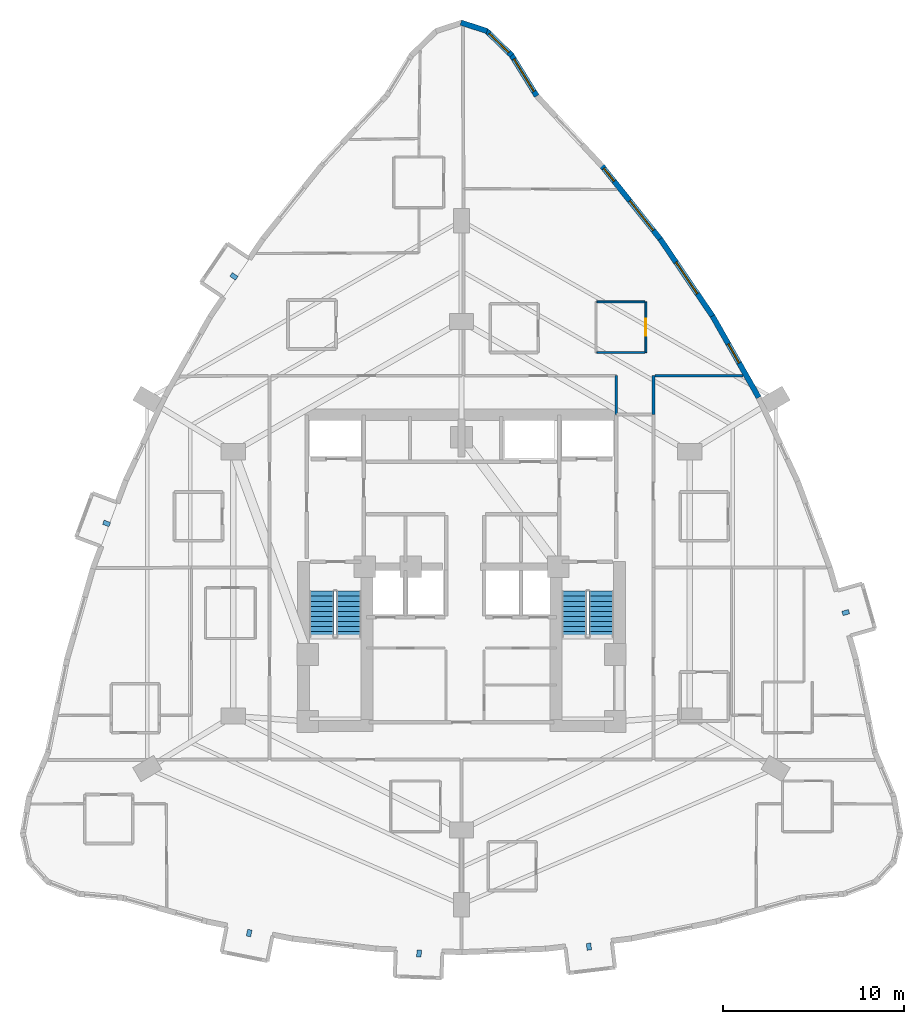
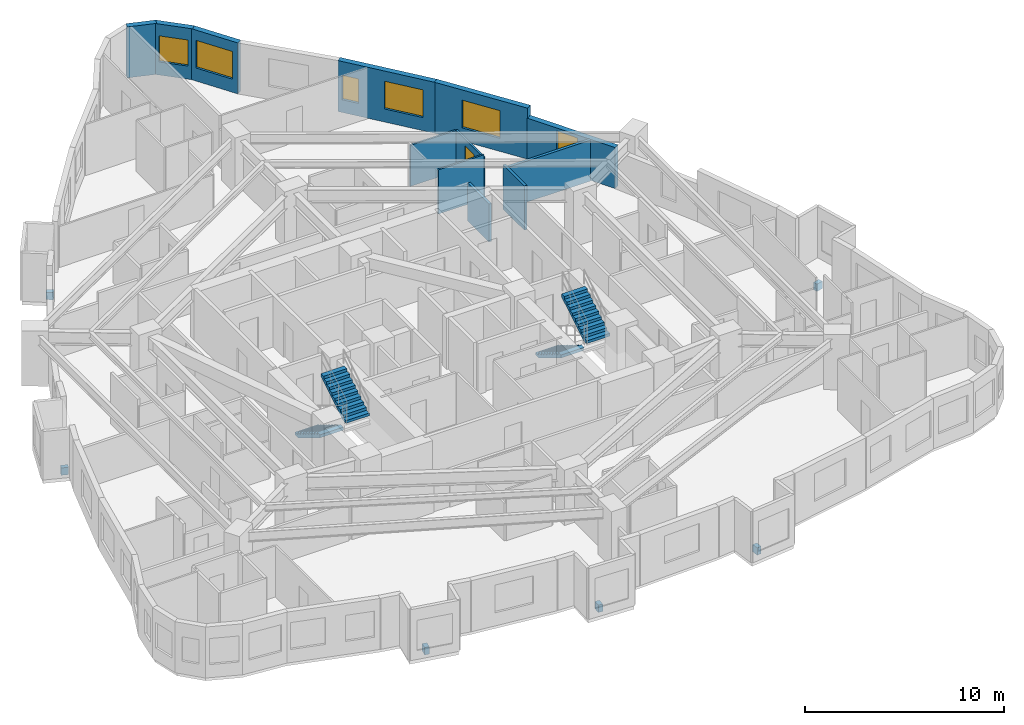
# One storey, part 12 of 13: 12 walls, 6 discrete accessories, 6 windows, 4 stair flights, 1 door, 7 openings, 2 elements without a shape of their own.
"""IFC4 building model written with IfcOpenShell, lengths in metres."""

import ifcopenshell
import ifcopenshell.guid

model = None  # the IFC model being written
_history = None  # IfcOwnerHistory: only IFC2X3 demands one
_inside = {}  # id of a spatial element -> (the spatial element, [elements in it])
_under = {}  # id of a project, library or spatial element -> (it, [spatial elements below it])
_declared = {}  # id of a project -> (the project, [libraries it declares])
_typed = {}  # id of a type object -> (the type object, [elements of that type])
_made_of = {}  # id of a material, layer set ... -> (it, [elements and type objects made of it])


def new_model(schema):
    """Start an empty IFC model of exactly this schema.

    Asked for "IFC4X3", IfcOpenShell would pick the latest addendum, in which some entities
    have other attributes; the version numbers below select the first issue.
    IFC2X3 requires an IfcOwnerHistory on every rooted entity: one is made here for all.
    """
    global model, _history
    if schema == "IFC4X3":
        model = ifcopenshell.file(schema_version=(4, 3, 0, 0))
    else:
        model = ifcopenshell.file(schema=schema)
    _inside.clear()
    _under.clear()
    _declared.clear()
    _typed.clear()
    _made_of.clear()
    _history = None
    if model.schema == "IFC2X3":
        org = make("IfcOrganization", Name="unknown")
        user = make(
            "IfcPersonAndOrganization",
            ThePerson=make("IfcPerson", FamilyName="unknown"),
            TheOrganization=org,
        )
        app = make(
            "IfcApplication",
            ApplicationDeveloper=org,
            Version="unknown",
            ApplicationFullName="unknown",
            ApplicationIdentifier="unknown",
        )
        _history = make(
            "IfcOwnerHistory",
            OwningUser=user,
            OwningApplication=app,
            ChangeAction="ADDED",
            CreationDate=0,
        )
    return model


def make(cls, **values):
    """One entity of the class cls with the attributes given. An attribute that is None is left unset."""
    return model.create_entity(
        cls, **{name: value for name, value in values.items() if value is not None}
    )


def rooted(cls, **values):
    """An entity with a GlobalId (a new one), such as an element, a storey or a relation."""
    return make(cls, GlobalId=ifcopenshell.guid.new(), OwnerHistory=_history, **values)


def si_unit(unit_type, name, prefix=None):
    """IfcSIUnit, for example si_unit("LENGTHUNIT", "METRE", prefix="MILLI")."""
    return make("IfcSIUnit", UnitType=unit_type, Prefix=prefix, Name=name)


def assignment(units):
    """IfcUnitAssignment: the units of a project."""
    return None if units is None else make("IfcUnitAssignment", Units=units)


def point(xyz):
    """IfcCartesianPoint."""
    return None if xyz is None else make("IfcCartesianPoint", Coordinates=xyz)


def direction(xyz):
    """IfcDirection."""
    return None if xyz is None else make("IfcDirection", DirectionRatios=xyz)


def frame(location, z_axis=None, x_axis=None):
    """IfcAxis2Placement3D, a coordinate frame: its origin and axes. An axis left out is left unset."""
    return make(
        "IfcAxis2Placement3D",
        Location=point(location),
        Axis=direction(z_axis),
        RefDirection=direction(x_axis),
    )


def frame_2d(location, x_axis=None):
    """IfcAxis2Placement2D, a coordinate frame in the plane: its origin and x axis."""
    return make(
        "IfcAxis2Placement2D", Location=point(location), RefDirection=direction(x_axis)
    )


def origin():
    """The frame at (0, 0, 0) with its axes left unset."""
    return frame((0.0, 0.0, 0.0))


def origin_2d():
    """The frame at (0, 0) in the plane with its x axis left unset."""
    return frame_2d((0.0, 0.0))


def place(relative_to, where):
    """IfcLocalPlacement: puts the frame where relative to a parent placement (None: the world)."""
    return make(
        "IfcLocalPlacement", PlacementRelTo=relative_to, RelativePlacement=where
    )


def context(
    kind, dimensions, precision=None, world=None, true_north=None, identifier=None
):
    """IfcGeometricRepresentationContext, for example the 3D "Model" context."""
    return make(
        "IfcGeometricRepresentationContext",
        ContextIdentifier=identifier,
        ContextType=kind,
        CoordinateSpaceDimension=dimensions,
        Precision=precision,
        WorldCoordinateSystem=world,
        TrueNorth=true_north,
    )


def subcontext(parent, identifier, kind, view, scale=None):
    """IfcGeometricRepresentationSubContext, for example "Body" below "Model"."""
    return make(
        "IfcGeometricRepresentationSubContext",
        ContextIdentifier=identifier,
        ContextType=kind,
        ParentContext=parent,
        TargetScale=scale,
        TargetView=view,
    )


def project(units=None, contexts=None):
    """IfcProject with its units and contexts."""
    return rooted(
        "IfcProject",
        Name="project",
        RepresentationContexts=contexts,
        UnitsInContext=assignment(units),
    )


def spatial(cls, under=None, at=None, **own):
    """A site, building, storey or space (cls), placed at a placement, below another one or the project."""
    s = rooted(cls, ObjectPlacement=at, **own)
    if under is not None:
        _under.setdefault(under.id(), (under, []))[1].append(s)
    return s


def polyline(points):
    """IfcPolyline through the points."""
    return make("IfcPolyline", Points=[point(p) for p in points])


def profile(cls, at=None, kind="AREA", **sizes):
    """A parametric profile (cls). Its sizes go by their IFC names, for example OverallWidth=200.0."""
    return make(cls, ProfileType=kind, Position=at, **sizes)


def rectangle(**sizes):
    """IfcRectangleProfileDef."""
    return profile("IfcRectangleProfileDef", **sizes)


def outline(outer, holes=None, kind="AREA"):
    """IfcArbitraryClosedProfileDef: a profile drawn as a closed curve; with holes, ...WithVoids."""
    if holes is None:
        return make("IfcArbitraryClosedProfileDef", ProfileType=kind, OuterCurve=outer)
    return make(
        "IfcArbitraryProfileDefWithVoids",
        ProfileType=kind,
        OuterCurve=outer,
        InnerCurves=holes,
    )


def extrude(swept, where, along, depth):
    """IfcExtrudedAreaSolid: the profile swept, set in the frame where, extruded along a direction by depth."""
    return make(
        "IfcExtrudedAreaSolid",
        SweptArea=swept,
        Position=where,
        ExtrudedDirection=direction(along),
        Depth=depth,
    )


def shape(context_of_items, identifier, shape_type, items):
    """IfcShapeRepresentation: the items that make up one representation, for example the "Body"."""
    return make(
        "IfcShapeRepresentation",
        ContextOfItems=context_of_items,
        RepresentationIdentifier=identifier,
        RepresentationType=shape_type,
        Items=items,
    )


def material(Name=None, Category=None):
    """IfcMaterial."""
    return make("IfcMaterial", Name=Name, Category=Category)


def layer(
    of_material, thickness, ventilated=None, Name=None, Category=None, Priority=None
):
    """IfcMaterialLayer: one layer of a wall or slab, of a material (None: an air gap)."""
    return make(
        "IfcMaterialLayer",
        Material=of_material,
        LayerThickness=thickness,
        IsVentilated=ventilated,
        Name=Name,
        Category=Category,
        Priority=Priority,
    )


def layer_set(layers, Name=None):
    """IfcMaterialLayerSet."""
    return make("IfcMaterialLayerSet", MaterialLayers=layers, LayerSetName=Name)


def made_of(thing, what):
    """Note that an element or type object is made of a material, layer set ...; save() writes the relation."""
    if what is not None:
        _made_of.setdefault(what.id(), (what, []))[1].append(thing)
    return thing


def type_object(cls, material=None, **own):
    """A type object (cls), such as IfcWallType, which elements share."""
    return made_of(rooted(cls, **own), material)


def element(
    cls,
    number,
    at=None,
    inside=None,
    cuts=None,
    type_object=None,
    material=None,
    context=None,
    identifier="Body",
    shape_type=None,
    held_by="IfcProductDefinitionShape",
    body=None,
    shapes=None,
    **own,
):
    """One element of the class cls, such as IfcWall. Its Tag is "e" and its number.

    at: its placement. inside: the storey or other place that contains it. cuts: it is an
    opening in that element (IfcRelVoidsElement). A single representation is given by context,
    identifier, shape_type and body (its items); several are given by shapes. held_by: the class
    of the entity that holds the representations. save() writes the other relations.
    """
    e = rooted(cls, Tag="e%d" % number, ObjectPlacement=at, **own)
    if body is not None:
        shapes = [shape(context, identifier, shape_type, body)]
    if shapes is not None:
        e.Representation = make(held_by, Representations=shapes)
    if inside is not None:
        _inside.setdefault(inside.id(), (inside, []))[1].append(e)
    if cuts is not None:
        rooted(
            "IfcRelVoidsElement", RelatingBuildingElement=cuts, RelatedOpeningElement=e
        )
    if type_object is not None:
        _typed.setdefault(type_object.id(), (type_object, []))[1].append(e)
    return made_of(e, material)


def fill(opening, filler):
    """IfcRelFillsElement: the door or window that sits in an opening."""
    return rooted(
        "IfcRelFillsElement",
        RelatingOpeningElement=opening,
        RelatedBuildingElement=filler,
    )


def aggregate(whole, parts):
    """IfcRelAggregates: a whole, such as a stair, and the parts it consists of."""
    return rooted("IfcRelAggregates", RelatingObject=whole, RelatedObjects=parts)


def save(model, path):
    """Write the relations noted so far, then the file.

    IfcRelAggregates (storeys below a building ...), IfcRelContainedInSpatialStructure (elements
    in a storey), IfcRelDefinesByType, IfcRelAssociatesMaterial and IfcRelDeclares: one each for
    every whole, place, type object, material and project.
    """
    for whole, parts in _under.values():
        aggregate(whole, parts)
    for where, things in _inside.values():
        rooted(
            "IfcRelContainedInSpatialStructure",
            RelatedElements=things,
            RelatingStructure=where,
        )
    for kind, things in _typed.values():
        rooted("IfcRelDefinesByType", RelatedObjects=things, RelatingType=kind)
    for what, things in _made_of.values():
        rooted("IfcRelAssociatesMaterial", RelatedObjects=things, RelatingMaterial=what)
    for by, libraries in _declared.values():
        rooted("IfcRelDeclares", RelatingContext=by, RelatedDefinitions=libraries)
    model.write(path)


model = new_model("IFC4")

# Units and contexts
model_context = context("Model", 3, precision=1e-05, world=origin(), true_north=direction((0.0, 1.0)))
body_context = subcontext(model_context, "Body", "Model", "MODEL_VIEW")
ifc_project = project(units=[si_unit("LENGTHUNIT", "METRE"), si_unit("AREAUNIT", "SQUARE_METRE"), si_unit("VOLUMEUNIT", "CUBIC_METRE"), si_unit("PLANEANGLEUNIT", "RADIAN"), si_unit("MASSUNIT", "GRAM", prefix="KILO")], contexts=[model_context])

# Site, building, storey
site_placement = place(None, origin())
site = spatial("IfcSite", under=ifc_project, at=site_placement, CompositionType="ELEMENT")
building_placement = place(site_placement, origin())
building = spatial("IfcBuilding", under=site, at=building_placement, Name="Miruveldt Soraemaru", CompositionType="ELEMENT")
storey_placement = place(building_placement, frame((0.0, 0.0, 76.800048828125)))
storey = spatial("IfcBuildingStorey", under=building, at=storey_placement, Name="L21", CompositionType="ELEMENT", Elevation=76.800048828125)

# Wall, opening, window
ifc_material_1 = material(Name="Precast concrete C45/55 (45 MPa)", Category="concrete")
ifc_layer_1 = layer(ifc_material_1, 0.300048828125, Name="Precast concrete C45/55 (45 MPa)", Category="concrete")
ifc_layer_set_1 = layer_set([ifc_layer_1], Name="Precast concrete C45/55 (45 MPa)")
wall_type_1 = type_object("IfcWallType", Name="WALL-EXT-PC300", PredefinedType="SOLIDWALL", material=ifc_layer_set_1)
wall_1_placement = place(storey_placement, frame((48.156982421875, 70.055908203125, 0.0), z_axis=(0.0, 0.0, 1.0), x_axis=(-0.526064242957, 0.850444832004, 0.0)))
wall_1 = element("IfcWall", 1, at=wall_1_placement, inside=storey, type_object=wall_type_1, Name="L21 Precast Concrete Facade Wall 1", PredefinedType="SOLIDWALL", context=body_context, shape_type="SweptSolid", body=[
    extrude(rectangle(XDim=2.692138671875, YDim=0.300048828125, at=frame_2d((1.34619140625, 0.0))), origin(), (0.0, 0.0, 1.0), 3.125),
])
opening_1_placement = place(wall_1_placement, frame((0.2958984375, 0.0, 0.800048828125)))
opening_1 = element("IfcOpeningElement", 2, at=opening_1_placement, cuts=wall_1, Name="Opening WN-1", PredefinedType="OPENING", context=body_context, shape_type="SweptSolid", body=[
    extrude(rectangle(XDim=2.10009765625, YDim=1.699951171875, at=frame_2d((1.050048828125, 0.85009765625))), frame((0.0, 0.16015625, 0.0), z_axis=(0.0, -1.0, 0.0), x_axis=(1.0, 0.0, 0.0)), (0.0, 0.0, 1.0), 0.320068359375),
])
ifc_material_2 = material(Name="Triple low-e insulated glazing", Category="glass")
window_type_1 = type_object("IfcWindowType", Name="WIN-PUNCH-2100x1700", PartitioningType="SINGLE_PANEL", PredefinedType="WINDOW", material=ifc_material_2)
window_1_placement = place(opening_1_placement, origin())
window_1 = element("IfcWindow", 3, at=window_1_placement, inside=storey, type_object=window_type_1, Name="L21 Punched Triple-Glazed Window 01.1", OverallHeight=1.699951171875, OverallWidth=2.10009765625, PartitioningType="SINGLE_PANEL", PredefinedType="WINDOW", context=body_context, shape_type="SweptSolid", body=[
    extrude(rectangle(XDim=2.10009765625, YDim=1.699951171875, at=frame_2d((1.050048828125, 0.85009765625))), frame((0.0, 0.030029296875, 0.0), z_axis=(0.0, -1.0, 0.0), x_axis=(1.0, 0.0, 0.0)), (0.0, 0.0, 1.0), 0.06005859375),
])
fill(opening_1, window_1)

wall_2_placement = place(storey_placement, frame((46.7841796875, 72.291259765625, 0.0), z_axis=(0.0, 0.0, 1.0), x_axis=(-0.717750025248, 0.69630086978, 0.0)))
wall_2 = element("IfcWall", 4, at=wall_2_placement, inside=storey, type_object=wall_type_1, Name="L21 Precast Concrete Facade Wall 2", PredefinedType="SOLIDWALL", context=body_context, shape_type="SweptSolid", body=[
    extrude(rectangle(XDim=1.991943359375, YDim=0.300048828125, at=frame_2d((0.99609375, 0.0))), origin(), (0.0, 0.0, 1.0), 3.125),
])
opening_2_placement = place(wall_2_placement, frame((0.24609375, 0.0, 0.800048828125)))
opening_2 = element("IfcOpeningElement", 5, at=opening_2_placement, cuts=wall_2, Name="Opening WN-3", PredefinedType="OPENING", context=body_context, shape_type="SweptSolid", body=[
    extrude(rectangle(XDim=1.5, YDim=1.60009765625, at=frame_2d((0.75, 0.800048828125))), frame((0.0, 0.16015625, 0.0), z_axis=(0.0, -1.0, 0.0), x_axis=(1.0, 0.0, 0.0)), (0.0, 0.0, 1.0), 0.320068359375),
])
window_type_2 = type_object("IfcWindowType", Name="WIN-PUNCH-1500x1600", PartitioningType="SINGLE_PANEL", PredefinedType="WINDOW", material=ifc_material_2)
window_2_placement = place(opening_2_placement, origin())
window_2 = element("IfcWindow", 6, at=window_2_placement, inside=storey, type_object=window_type_2, Name="L21 Punched Triple-Glazed Window 02.1", OverallHeight=1.60009765625, OverallWidth=1.5, PartitioningType="SINGLE_PANEL", PredefinedType="WINDOW", context=body_context, shape_type="SweptSolid", body=[
    extrude(rectangle(XDim=1.5, YDim=1.60009765625, at=frame_2d((0.75, 0.800048828125))), frame((0.0, 0.030029296875, 0.0), z_axis=(0.0, -1.0, 0.0), x_axis=(1.0, 0.0, 0.0)), (0.0, 0.0, 1.0), 0.06005859375),
])
fill(opening_2, window_2)

# Wall
wall_3_placement = place(storey_placement, frame((45.412841796875, 73.64306640625, 0.0), z_axis=(0.0, 0.0, 1.0), x_axis=(-0.951504003815, 0.307636361186, 0.0)))
element("IfcWall", 7, at=wall_3_placement, inside=storey, type_object=wall_type_1, Name="L21 Precast Concrete Facade Wall 3", PredefinedType="SOLIDWALL", context=body_context, shape_type="SweptSolid", body=[
    extrude(rectangle(XDim=1.519775390625, YDim=0.300048828125, at=frame_2d((0.759765625, 0.0))), origin(), (0.0, 0.0, 1.0), 3.125),
])

# Wall, opening, window
wall_4_placement = place(storey_placement, frame((60.4208984375, 53.395751953125, 0.0), z_axis=(0.0, 0.0, 1.0), x_axis=(-0.493385870501, 0.869810544193, 0.0)))
wall_4 = element("IfcWall", 8, at=wall_4_placement, inside=storey, type_object=wall_type_1, Name="L21 Precast Concrete Facade Wall 39", PredefinedType="SOLIDWALL", context=body_context, shape_type="SweptSolid", body=[
    extrude(rectangle(XDim=5.180908203125, YDim=0.300048828125, at=frame_2d((2.59033203125, 0.0))), origin(), (0.0, 0.0, 1.0), 2.512939453125),
])
opening_3_placement = place(wall_4_placement, frame((2.202880859375, 0.0, 0.780029296875)))
opening_3 = element("IfcOpeningElement", 9, at=opening_3_placement, cuts=wall_4, Name="Opening WN-4", PredefinedType="OPENING", context=body_context, shape_type="SweptSolid", body=[
    extrude(rectangle(XDim=1.199951171875, YDim=1.550048828125, at=frame_2d((0.60009765625, 0.77490234375))), frame((0.0, 0.16015625, 0.0), z_axis=(0.0, -1.0, 0.0), x_axis=(1.0, 0.0, 0.0)), (0.0, 0.0, 1.0), 0.320068359375),
])
window_type_3 = type_object("IfcWindowType", Name="WIN-PUNCH-1200x1550", PartitioningType="SINGLE_PANEL", PredefinedType="WINDOW", material=ifc_material_2)
window_3_placement = place(opening_3_placement, origin())
window_3 = element("IfcWindow", 10, at=window_3_placement, inside=storey, type_object=window_type_3, Name="L21 Punched Triple-Glazed Window 39.1", OverallHeight=1.550048828125, OverallWidth=1.199951171875, PartitioningType="SINGLE_PANEL", PredefinedType="WINDOW", context=body_context, shape_type="SweptSolid", body=[
    extrude(rectangle(XDim=1.199951171875, YDim=1.550048828125, at=frame_2d((0.60009765625, 0.77490234375))), frame((0.0, 0.030029296875, 0.0), z_axis=(0.0, -1.0, 0.0), x_axis=(1.0, 0.0, 0.0)), (0.0, 0.0, 1.0), 0.06005859375),
])
fill(opening_3, window_3)

wall_5_placement = place(storey_placement, frame((57.901611328125, 57.8427734375, 0.0), z_axis=(0.0, 0.0, 1.0), x_axis=(-0.560823294185, 0.827935524482, 0.0)))
wall_5 = element("IfcWall", 11, at=wall_5_placement, inside=storey, type_object=wall_type_1, Name="L21 Precast Concrete Facade Wall 40", PredefinedType="SOLIDWALL", context=body_context, shape_type="SweptSolid", body=[
    extrude(rectangle(XDim=5.21337890625, YDim=0.300048828125, at=frame_2d((2.606689453125, 0.0))), origin(), (0.0, 0.0, 1.0), 3.125),
])
opening_4_placement = place(wall_5_placement, frame((1.555908203125, 0.0, 0.800048828125)))
opening_4 = element("IfcOpeningElement", 12, at=opening_4_placement, cuts=wall_5, Name="Opening WN-1", PredefinedType="OPENING", context=body_context, shape_type="SweptSolid", body=[
    extrude(rectangle(XDim=2.10009765625, YDim=1.699951171875, at=frame_2d((1.050048828125, 0.85009765625))), frame((0.0, 0.16015625, 0.0), z_axis=(0.0, -1.0, 0.0), x_axis=(1.0, 0.0, 0.0)), (0.0, 0.0, 1.0), 0.320068359375),
])
window_4_placement = place(opening_4_placement, origin())
window_4 = element("IfcWindow", 13, at=window_4_placement, inside=storey, type_object=window_type_1, Name="L21 Punched Triple-Glazed Window 40.1", OverallHeight=1.699951171875, OverallWidth=2.10009765625, PartitioningType="SINGLE_PANEL", PredefinedType="WINDOW", context=body_context, shape_type="SweptSolid", body=[
    extrude(rectangle(XDim=2.10009765625, YDim=1.699951171875, at=frame_2d((1.050048828125, 0.85009765625))), frame((0.0, 0.030029296875, 0.0), z_axis=(0.0, -1.0, 0.0), x_axis=(1.0, 0.0, 0.0)), (0.0, 0.0, 1.0), 0.06005859375),
])
fill(opening_4, window_4)

# Wall, openings, windows
wall_6_placement = place(storey_placement, frame((55.019287109375, 62.102783203125, 0.0), z_axis=(0.0, 0.0, 1.0), x_axis=(-0.623600125689, 0.781743489414, 0.0)))
wall_6 = element("IfcWall", 14, at=wall_6_placement, inside=storey, type_object=wall_type_1, Name="L21 Precast Concrete Facade Wall 41", PredefinedType="SOLIDWALL", context=body_context, shape_type="SweptSolid", body=[
    extrude(rectangle(XDim=5.2783203125, YDim=0.300048828125, at=frame_2d((2.63916015625, 0.0))), origin(), (0.0, 0.0, 1.0), 3.125),
])
opening_5_placement = place(wall_6_placement, frame((0.675048828125, 0.0, 0.800048828125)))
opening_5 = element("IfcOpeningElement", 15, at=opening_5_placement, cuts=wall_6, Name="Opening WN-1", PredefinedType="OPENING", context=body_context, shape_type="SweptSolid", body=[
    extrude(rectangle(XDim=2.10009765625, YDim=1.699951171875, at=frame_2d((1.050048828125, 0.85009765625))), frame((0.0, 0.16015625, 0.0), z_axis=(0.0, -1.0, 0.0), x_axis=(1.0, 0.0, 0.0)), (0.0, 0.0, 1.0), 0.320068359375),
])
opening_6_placement = place(wall_6_placement, frame((4.154052734375, 0.0, 0.780029296875)))
opening_6 = element("IfcOpeningElement", 16, at=opening_6_placement, cuts=wall_6, Name="Opening WN-7", PredefinedType="OPENING", context=body_context, shape_type="SweptSolid", body=[
    extrude(rectangle(XDim=0.89990234375, YDim=1.5, at=frame_2d((0.449951171875, 0.75))), frame((0.0, 0.16015625, 0.0), z_axis=(0.0, -1.0, 0.0), x_axis=(1.0, 0.0, 0.0)), (0.0, 0.0, 1.0), 0.320068359375),
])
window_5_placement = place(opening_5_placement, origin())
window_5 = element("IfcWindow", 17, at=window_5_placement, inside=storey, type_object=window_type_1, Name="L21 Punched Triple-Glazed Window 41.1", OverallHeight=1.699951171875, OverallWidth=2.10009765625, PartitioningType="SINGLE_PANEL", PredefinedType="WINDOW", context=body_context, shape_type="SweptSolid", body=[
    extrude(rectangle(XDim=2.10009765625, YDim=1.699951171875, at=frame_2d((1.050048828125, 0.85009765625))), frame((0.0, 0.030029296875, 0.0), z_axis=(0.0, -1.0, 0.0), x_axis=(1.0, 0.0, 0.0)), (0.0, 0.0, 1.0), 0.06005859375),
])
fill(opening_5, window_5)
window_type_4 = type_object("IfcWindowType", Name="WIN-PUNCH-900x1500", PartitioningType="SINGLE_PANEL", PredefinedType="WINDOW", material=ifc_material_2)
window_6_placement = place(opening_6_placement, origin())
window_6 = element("IfcWindow", 18, at=window_6_placement, inside=storey, type_object=window_type_4, Name="L21 Punched Triple-Glazed Window 41.2", OverallHeight=1.5, OverallWidth=0.89990234375, PartitioningType="SINGLE_PANEL", PredefinedType="WINDOW", context=body_context, shape_type="SweptSolid", body=[
    extrude(rectangle(XDim=0.89990234375, YDim=1.5, at=frame_2d((0.449951171875, 0.75))), frame((0.0, 0.030029296875, 0.0), z_axis=(0.0, -1.0, 0.0), x_axis=(1.0, 0.0, 0.0)), (0.0, 0.0, 1.0), 0.06005859375),
])
fill(opening_6, window_6)

# Wall, opening, door
ifc_material_3 = material(Name="Gypsum plasterboard lining", Category="gypsum")
ifc_layer_2 = layer(ifc_material_3, 0.10009765625, Name="Gypsum plasterboard lining", Category="gypsum")
ifc_layer_set_2 = layer_set([ifc_layer_2], Name="Gypsum plasterboard lining")
wall_type_2 = type_object("IfcWallType", Name="WALL-INT-P100", PredefinedType="PARTITIONING", material=ifc_layer_set_2)
wall_7_placement = place(storey_placement, frame((54.18505859375, 55.882080078125, 0.0), z_axis=(0.0, 0.0, 1.0), x_axis=(0.0, 1.0, 0.0)))
wall_7 = element("IfcWall", 19, at=wall_7_placement, inside=storey, type_object=wall_type_2, Name="L21 Partition Wall 34", PredefinedType="PARTITIONING", context=body_context, shape_type="SweptSolid", body=[
    extrude(rectangle(XDim=2.7998046875, YDim=0.10009765625, at=frame_2d((1.39990234375, 0.0))), origin(), (0.0, 0.0, 1.0), 2.512939453125),
])
opening_7_placement = place(wall_7_placement, frame((0.93994140625, 0.0, 0.0)))
opening_7 = element("IfcOpeningElement", 20, at=opening_7_placement, cuts=wall_7, Name="Opening D3A", PredefinedType="OPENING", context=body_context, shape_type="SweptSolid", body=[
    extrude(rectangle(XDim=0.919921875, YDim=2.10009765625, at=frame_2d((0.4599609375, 1.050048828125))), frame((0.0, 0.06005859375, 0.0), z_axis=(0.0, -1.0, 0.0), x_axis=(1.0, 0.0, 0.0)), (0.0, 0.0, 1.0), 0.1201171875),
])
ifc_material_4 = material(Name="Anodised aluminium EN AW-6063 T6", Category="aluminium")
door_type = type_object("IfcDoorType", Name="DOOR-INT-920", OperationType="NOTDEFINED", PredefinedType="DOOR", material=ifc_material_4)
door_placement = place(opening_7_placement, origin())
door = element("IfcDoor", 21, at=door_placement, inside=storey, type_object=door_type, Name="L21 Unit CL02 KIT Door", OperationType="SINGLE_SWING_LEFT", OverallHeight=2.10009765625, OverallWidth=0.919921875, PredefinedType="DOOR", context=body_context, shape_type="SweptSolid", body=[
    extrude(rectangle(XDim=0.919921875, YDim=2.10009765625, at=frame_2d((0.4599609375, 1.050048828125))), frame((0.0, 0.02490234375, 0.0), z_axis=(0.0, -1.0, 0.0), x_axis=(1.0, 0.0, 0.0)), (0.0, 0.0, 1.0), 0.050048828125),
])
fill(opening_7, door)

# Walls
wall_8_placement = place(storey_placement, frame((54.135009765625, 58.681884765625, 0.0), z_axis=(0.0, 0.0, 1.0), x_axis=(-1.0, 0.0, 0.0)))
element("IfcWall", 22, at=wall_8_placement, inside=storey, type_object=wall_type_2, Name="L21 Partition Wall 35", PredefinedType="PARTITIONING", context=body_context, shape_type="SweptSolid", body=[
    extrude(rectangle(XDim=2.64990234375, YDim=0.10009765625, at=frame_2d((1.324951171875, 0.0))), origin(), (0.0, 0.0, 1.0), 2.512939453125),
])
wall_9_placement = place(storey_placement, frame((51.485107421875, 55.882080078125, 0.0), z_axis=(0.0, 0.0, 1.0), x_axis=(1.0, 0.0, 0.0)))
element("IfcWall", 23, at=wall_9_placement, inside=storey, type_object=wall_type_2, Name="L21 Partition Wall 37", PredefinedType="PARTITIONING", context=body_context, shape_type="SweptSolid", body=[
    extrude(rectangle(XDim=2.64990234375, YDim=0.10009765625, at=frame_2d((1.324951171875, 0.0))), origin(), (0.0, 0.0, 1.0), 2.712890625),
])
ifc_material_5 = material(Name="Concrete C40/50 (40 MPa)", Category="concrete")
ifc_layer_3 = layer(ifc_material_5, 0.159912109375, Name="Concrete C40/50 (40 MPa)", Category="concrete")
ifc_layer_set_3 = layer_set([ifc_layer_3], Name="Concrete C40/50 (40 MPa)")
wall_type_3 = type_object("IfcWallType", Name="WALL-INT-RC160", PredefinedType="SOLIDWALL", material=ifc_layer_set_3)
wall_10_placement = place(storey_placement, frame((54.679931640625, 54.60009765625, 0.0), z_axis=(0.0, 0.0, 1.0), x_axis=(0.999999679423, -0.000800720392, 0.0)))
element("IfcWall", 24, at=wall_10_placement, inside=storey, type_object=wall_type_3, Name="L21 Partition Wall 40", PredefinedType="SOLIDWALL", context=body_context, shape_type="SweptSolid", body=[
    extrude(rectangle(XDim=4.87841796875, YDim=0.159912109375, at=frame_2d((2.439208984375, 0.0))), origin(), (0.0, 0.0, 1.0), 2.512939453125),
])
wall_11_placement = place(storey_placement, frame((52.550048828125, 52.449951171875, 0.0), z_axis=(0.0, 0.0, 1.0), x_axis=(0.0, 1.0, 0.0)))
element("IfcWall", 25, at=wall_11_placement, inside=storey, type_object=wall_type_3, Name="L21 Partition Wall 3", PredefinedType="SOLIDWALL", context=body_context, shape_type="SweptSolid", body=[
    extrude(rectangle(XDim=2.150146484375, YDim=0.159912109375, at=frame_2d((1.0751953125, 0.0))), origin(), (0.0, 0.0, 1.0), 2.31298828125),
])
wall_12_placement = place(storey_placement, frame((54.60009765625, 52.449951171875, 0.0), z_axis=(0.0, 0.0, 1.0), x_axis=(0.0, 1.0, 0.0)))
element("IfcWall", 26, at=wall_12_placement, inside=storey, type_object=wall_type_3, Name="L21 Partition Wall 39", PredefinedType="SOLIDWALL", context=body_context, shape_type="SweptSolid", body=[
    extrude(rectangle(XDim=2.150146484375, YDim=0.159912109375, at=frame_2d((1.0751953125, 0.0))), origin(), (0.0, 0.0, 1.0), 2.712890625),
])

# Stair, stair flights
stair_type = type_object("IfcStairType", Name="STAIR-DL-340", PredefinedType="HALF_TURN_STAIR", material=ifc_material_5)
stair_1_placement = place(storey_placement, origin())
stair_1 = element("IfcStair", 27, at=stair_1_placement, inside=storey, type_object=stair_type, Name="L21 Protected Exit Stair ST-1", PredefinedType="HALF_TURN_STAIR")
stair_flight_type = type_object("IfcStairFlightType", Name="SFL-DL-340", PredefinedType="STRAIGHT", material=ifc_material_5)
stair_flight_1_placement = place(storey_placement, frame((36.27490234375, 42.699951171875, 0.0), z_axis=(0.0, 0.0, 1.0), x_axis=(0.0, -1.0, 0.0)))
stair_flight_1 = element("IfcStairFlight", 28, at=stair_flight_1_placement, type_object=stair_flight_type, Name="ST-1 flight 1", NumberOfRisers=10, NumberOfTreads=9, PredefinedType="STRAIGHT", RiserHeight=0.17, TreadLength=0.28, context=body_context, shape_type="SweptSolid", body=[
    extrude(outline(polyline([(0.0, 0.0), (0.0, 0.169921875), (0.280029296875, 0.169921875), (0.280029296875, 0.340087890625), (0.56005859375, 0.340087890625), (0.56005859375, 0.510009765625), (0.840087890625, 0.510009765625), (0.840087890625, 0.679931640625), (1.1201171875, 0.679931640625), (1.1201171875, 0.85009765625), (1.39990234375, 0.85009765625), (1.39990234375, 1.02001953125), (1.679931640625, 1.02001953125), (1.679931640625, 1.18994140625), (1.9599609375, 1.18994140625), (1.9599609375, 1.360107421875), (2.239990234375, 1.360107421875), (2.239990234375, 1.530029296875), (2.52001953125, 1.530029296875), (2.52001953125, 1.699951171875), (2.52001953125, 1.343017578125), (0.30810546875, 0.0), (0.0, 0.0)])), frame((0.0, 0.675048828125, 0.0), z_axis=(0.0, -1.0, 0.0), x_axis=(1.0, 0.0, 0.0)), (0.0, 0.0, 1.0), 1.35009765625),
])
stair_flight_2_placement = place(storey_placement, frame((37.77490234375, 40.179931640625, 1.699951171875), z_axis=(0.0, 0.0, 1.0), x_axis=(0.0, 1.0, 0.0)))
stair_flight_2 = element("IfcStairFlight", 29, at=stair_flight_2_placement, type_object=stair_flight_type, Name="ST-1 flight 2", NumberOfRisers=10, NumberOfTreads=9, PredefinedType="STRAIGHT", RiserHeight=0.17, TreadLength=0.28, context=body_context, shape_type="SweptSolid", body=[
    extrude(outline(polyline([(0.0, 0.0), (0.0, 0.169921875), (0.280029296875, 0.169921875), (0.280029296875, 0.340087890625), (0.56005859375, 0.340087890625), (0.56005859375, 0.510009765625), (0.840087890625, 0.510009765625), (0.840087890625, 0.679931640625), (1.1201171875, 0.679931640625), (1.1201171875, 0.85009765625), (1.39990234375, 0.85009765625), (1.39990234375, 1.02001953125), (1.679931640625, 1.02001953125), (1.679931640625, 1.18994140625), (1.9599609375, 1.18994140625), (1.9599609375, 1.360107421875), (2.239990234375, 1.360107421875), (2.239990234375, 1.530029296875), (2.52001953125, 1.530029296875), (2.52001953125, 1.699951171875), (2.52001953125, 1.343017578125), (0.30810546875, 0.0), (0.0, 0.0)])), frame((0.0, 0.675048828125, 0.0), z_axis=(0.0, -1.0, 0.0), x_axis=(1.0, 0.0, 0.0)), (0.0, 0.0, 1.0), 1.35009765625),
])
aggregate(stair_1, [stair_flight_1, stair_flight_2])

stair_2_placement = place(storey_placement, origin())
stair_2 = element("IfcStair", 30, at=stair_2_placement, inside=storey, type_object=stair_type, Name="L21 Protected Exit Stair ST-2", PredefinedType="HALF_TURN_STAIR")
stair_flight_3_placement = place(storey_placement, frame((50.22509765625, 42.699951171875, 0.0), z_axis=(0.0, 0.0, 1.0), x_axis=(0.0, -1.0, 0.0)))
stair_flight_3 = element("IfcStairFlight", 31, at=stair_flight_3_placement, type_object=stair_flight_type, Name="ST-2 flight 1", NumberOfRisers=10, NumberOfTreads=9, PredefinedType="STRAIGHT", RiserHeight=0.17, TreadLength=0.28, context=body_context, shape_type="SweptSolid", body=[
    extrude(outline(polyline([(0.0, 0.0), (0.0, 0.169921875), (0.280029296875, 0.169921875), (0.280029296875, 0.340087890625), (0.56005859375, 0.340087890625), (0.56005859375, 0.510009765625), (0.840087890625, 0.510009765625), (0.840087890625, 0.679931640625), (1.1201171875, 0.679931640625), (1.1201171875, 0.85009765625), (1.39990234375, 0.85009765625), (1.39990234375, 1.02001953125), (1.679931640625, 1.02001953125), (1.679931640625, 1.18994140625), (1.9599609375, 1.18994140625), (1.9599609375, 1.360107421875), (2.239990234375, 1.360107421875), (2.239990234375, 1.530029296875), (2.52001953125, 1.530029296875), (2.52001953125, 1.699951171875), (2.52001953125, 1.343017578125), (0.30810546875, 0.0), (0.0, 0.0)])), frame((0.0, 0.675048828125, 0.0), z_axis=(0.0, -1.0, 0.0), x_axis=(1.0, 0.0, 0.0)), (0.0, 0.0, 1.0), 1.35009765625),
])
stair_flight_4_placement = place(storey_placement, frame((51.72509765625, 40.179931640625, 1.699951171875), z_axis=(0.0, 0.0, 1.0), x_axis=(0.0, 1.0, 0.0)))
stair_flight_4 = element("IfcStairFlight", 32, at=stair_flight_4_placement, type_object=stair_flight_type, Name="ST-2 flight 2", NumberOfRisers=10, NumberOfTreads=9, PredefinedType="STRAIGHT", RiserHeight=0.17, TreadLength=0.28, context=body_context, shape_type="SweptSolid", body=[
    extrude(outline(polyline([(0.0, 0.0), (0.0, 0.169921875), (0.280029296875, 0.169921875), (0.280029296875, 0.340087890625), (0.56005859375, 0.340087890625), (0.56005859375, 0.510009765625), (0.840087890625, 0.510009765625), (0.840087890625, 0.679931640625), (1.1201171875, 0.679931640625), (1.1201171875, 0.85009765625), (1.39990234375, 0.85009765625), (1.39990234375, 1.02001953125), (1.679931640625, 1.02001953125), (1.679931640625, 1.18994140625), (1.9599609375, 1.18994140625), (1.9599609375, 1.360107421875), (2.239990234375, 1.360107421875), (2.239990234375, 1.530029296875), (2.52001953125, 1.530029296875), (2.52001953125, 1.699951171875), (2.52001953125, 1.343017578125), (0.30810546875, 0.0), (0.0, 0.0)])), frame((0.0, 0.675048828125, 0.0), z_axis=(0.0, -1.0, 0.0), x_axis=(1.0, 0.0, 0.0)), (0.0, 0.0, 1.0), 1.35009765625),
])
aggregate(stair_2, [stair_flight_3, stair_flight_4])

# Discrete accessories
ifc_material_6 = material(Name="Steel SM355 (355 MPa)", Category="steel")
discrete_accessory_type = type_object("IfcDiscreteAccessoryType", Name="ACC-BAY-BRK", PredefinedType="BRACKET", material=ifc_material_6)
for number, where, z_axis, x_axis, name in (
    (33, (31.427734375, 60.0908203125, -0.72021484375), (0.0, 0.0, 1.0), (-0.827933108356, 0.560826861061, 0.0), "L21 Bay Window Cantilever Bracket 1"),
    (34, (24.390380859375, 46.43896484375, -0.72021484375), (0.0, 0.0, 1.0), (-0.937105441274, 0.349046403698, 0.0), "L21 Bay Window Cantilever Bracket 2"),
    (35, (32.268798828125, 23.8076171875, -0.72021484375), (0.0, 0.0, 1.0), (-0.196117290802, -0.980580444557, 0.0), "L21 Bay Window Cantilever Bracket 3"),
    (36, (41.65380859375, 22.681396484375, -0.72021484375), (0.0, 0.0, 1.0), (-0.03997483895, -0.999200686675, 0.0), "L21 Bay Window Cantilever Bracket 4"),
    (37, (51.038818359375, 23.056884765625, -0.72021484375), (0.0, 0.0, 1.0), (0.119149147143, -0.992876367296, 0.0), "L21 Bay Window Cantilever Bracket 5"),
    (38, (65.22705078125, 41.513427734375, -0.72021484375), (0.0, 0.0, 1.0), (0.961449093633, 0.274982981932, 0.0), "L21 Bay Window Cantilever Bracket 6"),
):
    element("IfcDiscreteAccessory", number, at=place(storey_placement, frame(where, z_axis=z_axis, x_axis=x_axis)), inside=storey, type_object=discrete_accessory_type, Name=name, PredefinedType="BRACKET", context=body_context, shape_type="SweptSolid", body=[
        extrude(rectangle(XDim=0.3798828125, YDim=0.25, at=origin_2d()), origin(), (0.0, 0.0, 1.0), 0.449951171875),
    ])

save(model, "model.ifc")
